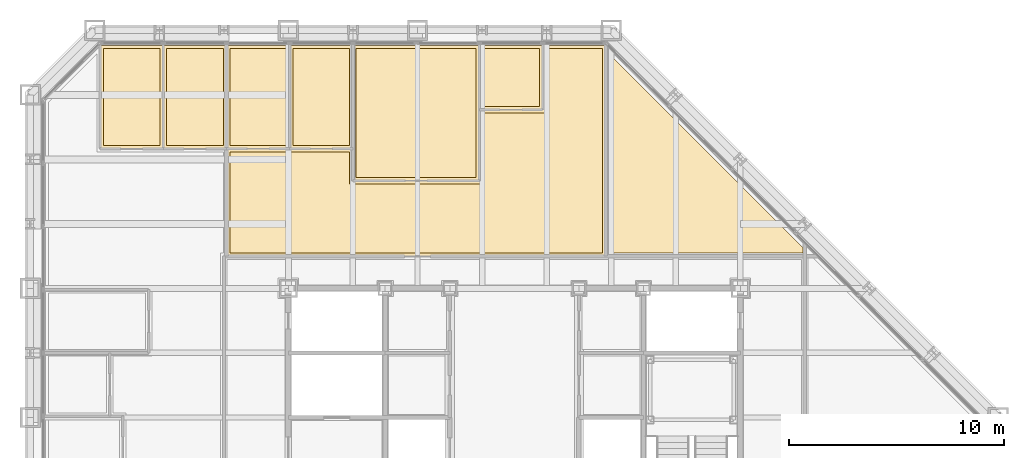
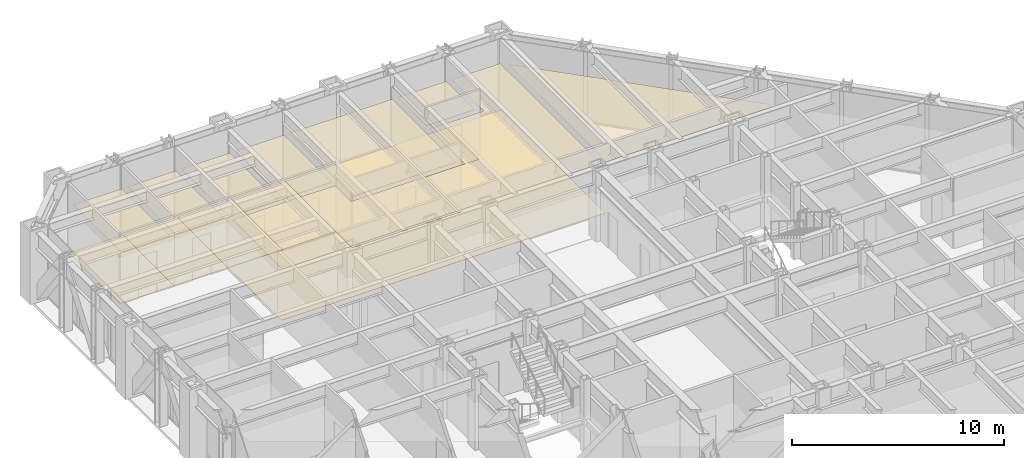
# One storey, part 16 of 16: 15 coverings.
"""IFC4 building model written with IfcOpenShell, lengths in metres."""

from ifc_helpers import new_model, si_unit, direction, frame, origin, place, context, subcontext, project, spatial, polyline, outline, extrude, material, layer, layer_set, type_object, element, save


model = new_model("IFC4")

# Units and contexts
model_context = context("Model", 3, precision=1e-05, world=origin(), true_north=direction((0.0, 1.0)))
body_context = subcontext(model_context, "Body", "Model", "MODEL_VIEW")
ifc_project = project(units=[si_unit("LENGTHUNIT", "METRE"), si_unit("AREAUNIT", "SQUARE_METRE"), si_unit("VOLUMEUNIT", "CUBIC_METRE"), si_unit("PLANEANGLEUNIT", "RADIAN"), si_unit("MASSUNIT", "GRAM", prefix="KILO")], contexts=[model_context])

# Site, building, storey
site_placement = place(None, origin())
site = spatial("IfcSite", under=ifc_project, at=site_placement, CompositionType="ELEMENT")
building_placement = place(site_placement, origin())
building = spatial("IfcBuilding", under=site, at=building_placement, Name="Chuquiago Exchange Tower", CompositionType="ELEMENT")
storey_placement = place(building_placement, frame((0.0, 0.0, 140.39990234375)))
storey = spatial("IfcBuildingStorey", under=building, at=storey_placement, Name="L30", CompositionType="ELEMENT", Elevation=140.39990234375)

# Coverings
ifc_material_1 = material(Name="Mineral fibre tile, 600 x 600, on pale metal grid", Category="mineral fibre")
ifc_layer_1 = layer(ifc_material_1, 0.02001953125)
ifc_layer_set_1 = layer_set([ifc_layer_1], Name="CL1 suspended tile ceiling 20")
covering_type_1 = type_object("IfcCoveringType", Name="CL1 suspended tile ceiling 20", PredefinedType="CEILING", material=ifc_layer_set_1)
covering_1_placement = place(storey_placement, frame((0.0, 0.0, 2.800048828125)))
element("IfcCovering", 1, at=covering_1_placement, inside=storey, type_object=covering_type_1, Name="Ceiling Office", PredefinedType="CEILING", context=body_context, shape_type="SweptSolid", body=[
    extrude(outline(polyline([(6.036376953125, 44.14990234375), (6.036376953125, 39.64990234375), (3.3984375, 39.64990234375), (3.3984375, 44.14990234375), (6.036376953125, 44.14990234375)])), origin(), (0.0, 0.0, 1.0), 0.02001953125),
])
covering_2_placement = place(storey_placement, frame((0.0, 0.0, 2.800048828125)))
element("IfcCovering", 2, at=covering_2_placement, inside=storey, type_object=covering_type_1, Name="Ceiling Office", PredefinedType="CEILING", context=body_context, shape_type="SweptSolid", body=[
    extrude(outline(polyline([(8.974365234375, 39.64990234375), (6.33642578125, 39.64990234375), (6.33642578125, 44.14990234375), (8.974365234375, 44.14990234375), (8.974365234375, 39.64990234375)])), origin(), (0.0, 0.0, 1.0), 0.02001953125),
])
covering_3_placement = place(storey_placement, frame((0.0, 0.0, 2.800048828125)))
element("IfcCovering", 3, at=covering_3_placement, inside=storey, type_object=covering_type_1, Name="Ceiling Office", PredefinedType="CEILING", context=body_context, shape_type="SweptSolid", body=[
    extrude(outline(polyline([(11.912109375, 39.64990234375), (9.2744140625, 39.64990234375), (9.2744140625, 44.14990234375), (11.912109375, 44.14990234375), (11.912109375, 39.64990234375)])), origin(), (0.0, 0.0, 1.0), 0.02001953125),
])
covering_4_placement = place(storey_placement, frame((0.0, 0.0, 2.800048828125)))
element("IfcCovering", 4, at=covering_4_placement, inside=storey, type_object=covering_type_1, Name="Ceiling Office", PredefinedType="CEILING", context=body_context, shape_type="SweptSolid", body=[
    extrude(outline(polyline([(14.85009765625, 39.64990234375), (12.212158203125, 39.64990234375), (12.212158203125, 44.14990234375), (14.85009765625, 44.14990234375), (14.85009765625, 39.64990234375)])), origin(), (0.0, 0.0, 1.0), 0.02001953125),
])
covering_5_placement = place(storey_placement, frame((0.0, 0.0, 2.800048828125)))
element("IfcCovering", 5, at=covering_5_placement, inside=storey, type_object=covering_type_1, Name="Ceiling Conference room", PredefinedType="CEILING", context=body_context, shape_type="SweptSolid", body=[
    extrude(outline(polyline([(20.7255859375, 38.14990234375), (15.14990234375, 38.14990234375), (15.14990234375, 44.14990234375), (20.7255859375, 44.14990234375), (20.7255859375, 38.14990234375)])), origin(), (0.0, 0.0, 1.0), 0.02001953125),
])
covering_6_placement = place(storey_placement, frame((0.0, 0.0, 2.800048828125)))
element("IfcCovering", 6, at=covering_6_placement, inside=storey, type_object=covering_type_1, Name="Ceiling Focus room", PredefinedType="CEILING", context=body_context, shape_type="SweptSolid", body=[
    extrude(outline(polyline([(23.66357421875, 41.449951171875), (21.025634765625, 41.449951171875), (21.025634765625, 44.14990234375), (23.66357421875, 44.14990234375), (23.66357421875, 41.449951171875)])), origin(), (0.0, 0.0, 1.0), 0.02001953125),
])
covering_7_placement = place(storey_placement, frame((0.0, 0.0, 2.800048828125)))
element("IfcCovering", 7, at=covering_7_placement, inside=storey, type_object=covering_type_1, Name="Ceiling Open office north suite", PredefinedType="CEILING", context=body_context, shape_type="SweptSolid", body=[
    extrude(outline(polyline([(14.85009765625, 39.35009765625), (14.85009765625, 37.85009765625), (21.025634765625, 37.85009765625), (21.025634765625, 41.14990234375), (23.963623046875, 41.14990234375), (23.963623046875, 44.14990234375), (26.60107421875, 44.14990234375), (26.60107421875, 34.650390625), (9.27490234375, 34.650390625), (9.27490234375, 39.35009765625), (14.85009765625, 39.35009765625)])), origin(), (0.0, 0.0, 1.0), 0.02001953125),
])
covering_8_placement = place(storey_placement, frame((0.0, 0.0, 2.800048828125)))
element("IfcCovering", 8, at=covering_8_placement, inside=storey, type_object=covering_type_1, Name="Ceiling Open office east suite", PredefinedType="CEILING", context=body_context, shape_type="SweptSolid", body=[
    extrude(outline(polyline([(26.902099609375, 34.650390625), (26.902099609375, 43.89599609375), (35.9150390625, 34.883056640625), (35.9150390625, 34.650146484375), (26.902099609375, 34.650390625)])), origin(), (0.0, 0.0, 1.0), 0.02001953125),
])
ifc_material_2 = material(Name="Carpet tile, 500 x 500, on the floor slab", Category="textile")
ifc_layer_2 = layer(ifc_material_2, 0.010009765625)
ifc_layer_set_2 = layer_set([ifc_layer_2], Name="FL1 carpet tile 10")
covering_type_2 = type_object("IfcCoveringType", Name="FL1 carpet tile 10", PredefinedType="FLOORING", material=ifc_layer_set_2)
covering_9_placement = place(storey_placement, origin())
element("IfcCovering", 9, at=covering_9_placement, inside=storey, type_object=covering_type_2, Name="Floor finish Office", PredefinedType="FLOORING", context=body_context, shape_type="SweptSolid", body=[
    extrude(outline(polyline([(3.289794921875, 44.300048828125), (6.186279296875, 44.300048828125), (6.186279296875, 39.5), (3.24853515625, 39.5), (3.24853515625, 44.258544921875), (3.289794921875, 44.300048828125)])), origin(), (0.0, 0.0, 1.0), 0.010009765625),
])
covering_10_placement = place(storey_placement, origin())
element("IfcCovering", 10, at=covering_10_placement, inside=storey, type_object=covering_type_2, Name="Floor finish Office", PredefinedType="FLOORING", context=body_context, shape_type="SweptSolid", body=[
    extrude(outline(polyline([(9.124267578125, 44.300048828125), (9.124267578125, 39.5), (6.186279296875, 39.5), (6.186279296875, 44.300048828125), (9.124267578125, 44.300048828125)])), origin(), (0.0, 0.0, 1.0), 0.010009765625),
])
covering_11_placement = place(storey_placement, origin())
element("IfcCovering", 11, at=covering_11_placement, inside=storey, type_object=covering_type_2, Name="Floor finish Office", PredefinedType="FLOORING", context=body_context, shape_type="SweptSolid", body=[
    extrude(outline(polyline([(12.06201171875, 44.300048828125), (12.06201171875, 39.5), (9.124267578125, 39.5), (9.124267578125, 44.300048828125), (12.06201171875, 44.300048828125)])), origin(), (0.0, 0.0, 1.0), 0.010009765625),
])
covering_12_placement = place(storey_placement, origin())
element("IfcCovering", 12, at=covering_12_placement, inside=storey, type_object=covering_type_2, Name="Floor finish Office", PredefinedType="FLOORING", context=body_context, shape_type="SweptSolid", body=[
    extrude(outline(polyline([(15.0, 44.300048828125), (15.0, 39.5), (12.06201171875, 39.5), (12.06201171875, 44.300048828125), (15.0, 44.300048828125)])), origin(), (0.0, 0.0, 1.0), 0.010009765625),
])
covering_13_placement = place(storey_placement, origin())
element("IfcCovering", 13, at=covering_13_placement, inside=storey, type_object=covering_type_2, Name="Floor finish Conference room", PredefinedType="FLOORING", context=body_context, shape_type="SweptSolid", body=[
    extrude(outline(polyline([(20.875732421875, 44.300048828125), (20.875732421875, 38.0), (15.0, 38.0), (15.0, 44.300048828125), (20.875732421875, 44.300048828125)])), origin(), (0.0, 0.0, 1.0), 0.010009765625),
])
covering_14_placement = place(storey_placement, origin())
element("IfcCovering", 14, at=covering_14_placement, inside=storey, type_object=covering_type_2, Name="Floor finish Focus room", PredefinedType="FLOORING", context=body_context, shape_type="SweptSolid", body=[
    extrude(outline(polyline([(23.813720703125, 44.300048828125), (23.813720703125, 41.300048828125), (20.875732421875, 41.300048828125), (20.875732421875, 44.300048828125), (23.813720703125, 44.300048828125)])), origin(), (0.0, 0.0, 1.0), 0.010009765625),
])
covering_15_placement = place(storey_placement, origin())
element("IfcCovering", 15, at=covering_15_placement, inside=storey, type_object=covering_type_2, Name="Floor finish Open office north suite", PredefinedType="FLOORING", context=body_context, shape_type="SweptSolid", body=[
    extrude(outline(polyline([(9.124755859375, 39.5), (15.0, 39.5), (15.0, 38.0), (20.875732421875, 38.0), (20.875732421875, 41.300048828125), (23.813720703125, 41.300048828125), (23.813720703125, 44.300048828125), (26.710205078125, 44.300048828125), (26.751220703125, 44.2587890625), (26.7509765625, 34.50048828125), (9.124755859375, 34.50048828125), (9.124755859375, 39.5)])), origin(), (0.0, 0.0, 1.0), 0.010009765625),
])

save(model, "model.ifc")
